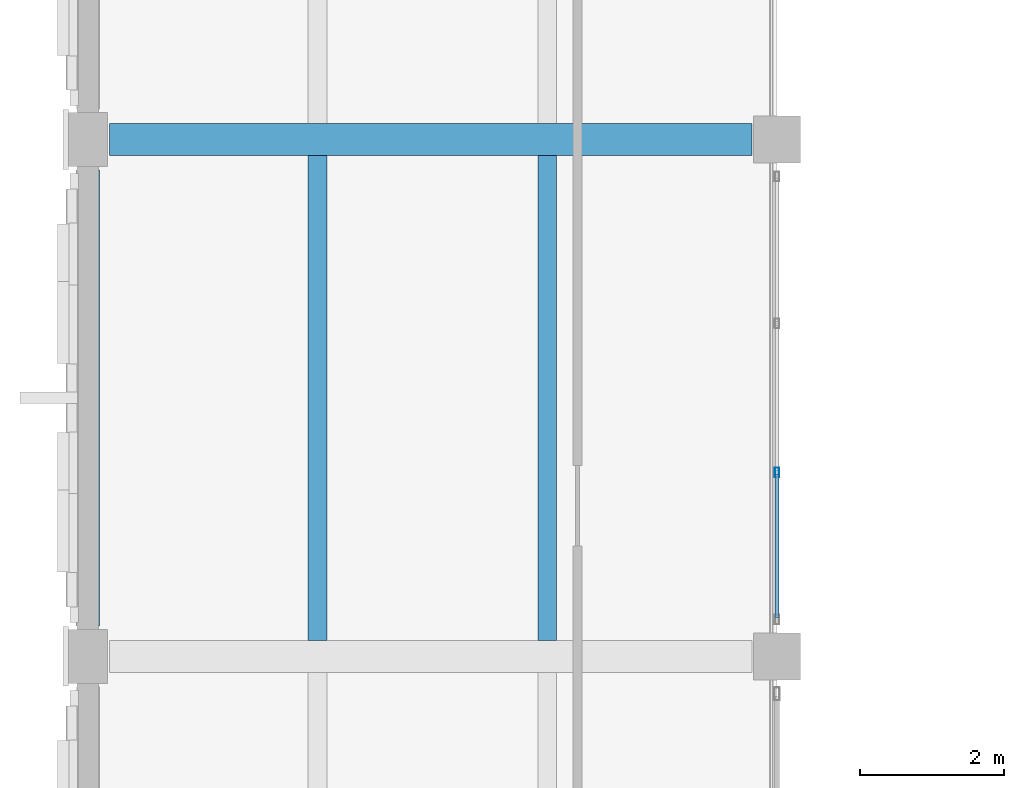
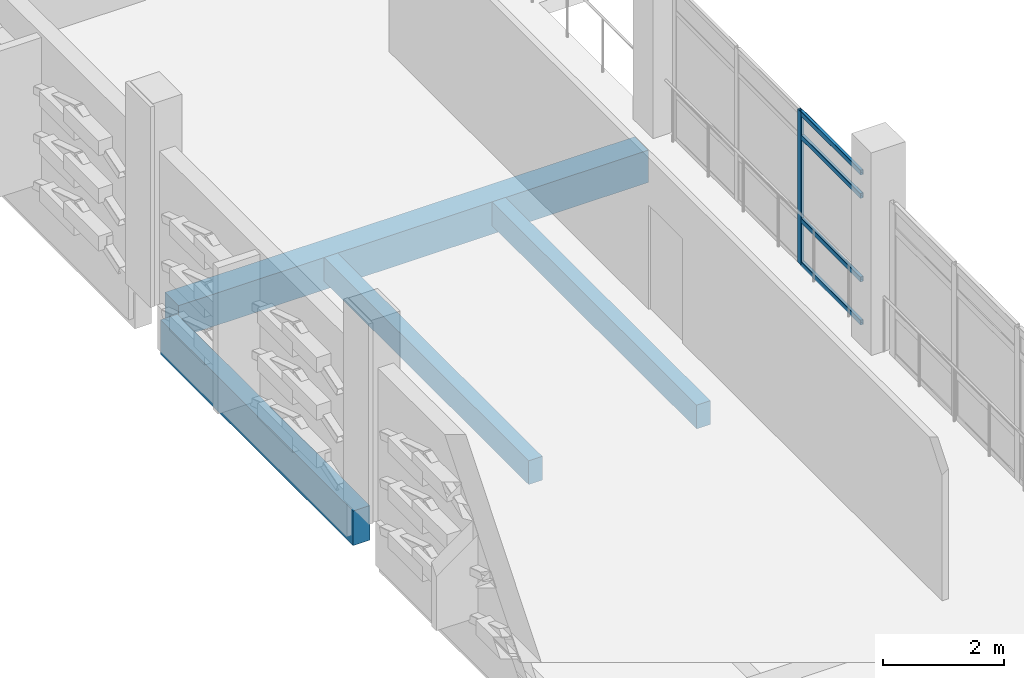
# One storey, part 22 of 72: 5 members, 4 beams, 1 element without a shape of its own.
"""IFC4 building model written with IfcOpenShell, lengths in metres."""

from ifc_helpers import new_model, si_unit, direction, frame, origin, origin_2d, place, context, subcontext, project, spatial, rectangle, hollow_rectangle, extrude, material, layer, layer_set, material_profile, profile_set, type_object, element, aggregate, save


model = new_model("IFC4")

# Units and contexts
model_context = context("Model", 3, precision=1e-05, world=origin(), true_north=direction((0.0, 1.0)))
body_context = subcontext(model_context, "Body", "Model", "MODEL_VIEW")
ifc_project = project(units=[si_unit("LENGTHUNIT", "METRE"), si_unit("AREAUNIT", "SQUARE_METRE"), si_unit("VOLUMEUNIT", "CUBIC_METRE"), si_unit("PLANEANGLEUNIT", "RADIAN"), si_unit("MASSUNIT", "GRAM", prefix="KILO")], contexts=[model_context])

# Site, building, storey
site_placement = place(None, origin())
site = spatial("IfcSite", under=ifc_project, at=site_placement, CompositionType="ELEMENT")
building_placement = place(site_placement, origin())
building = spatial("IfcBuilding", under=site, at=building_placement, Name="Asteropetra Specialist Clinic", CompositionType="ELEMENT")
storey_placement = place(building_placement, frame((0.0, 0.0, 12.580078125)))
storey = spatial("IfcBuildingStorey", under=building, at=storey_placement, Name="L03", CompositionType="ELEMENT", Elevation=12.580078125)

# Beam
ifc_material_1 = material(Name="Concrete C35/45", Category="concrete")
ifc_material_profile_1 = material_profile(ifc_material_1, rectangle(XDim=0.449951171875, YDim=0.64990234375, at=origin_2d()), Name="RCB 450x650")
ifc_profile_set_1 = profile_set([ifc_material_profile_1], Name="Concrete C35/45")
beam_type_1 = type_object("IfcBeamType", Name="BM-RC450x650", PredefinedType="BEAM", material=ifc_profile_set_1)
beam_1_placement = place(storey_placement, frame((0.300048828125, 91.199951171875, -0.60498046875), z_axis=(1.0, 0.0, 0.0), x_axis=(0.0, 1.0, 0.0)))
element("IfcBeam", 1, at=beam_1_placement, inside=storey, type_object=beam_type_1, Name="Beam BBM06-1578", PredefinedType="BEAM", context=body_context, shape_type="SweptSolid", body=[
    extrude(rectangle(XDim=0.449951171875, YDim=0.64990234375, at=origin_2d()), origin(), (0.0, 0.0, 1.0), 8.949951171875),
])

# Curtain wall, members
ifc_material_2 = material(Name="Aluminium and low-E glass", Category="aluminium")
ifc_layer = layer(ifc_material_2, 0.14990234375)
ifc_layer_set = layer_set([ifc_layer], Name="Aluminium and low-E glass")
curtain_wall_type = type_object("IfcCurtainWallType", Name="CW-SYS-05", PredefinedType="USERDEFINED", material=ifc_layer_set)
curtain_wall_placement = place(storey_placement, origin())
curtain_wall = element("IfcCurtainWall", 2, at=curtain_wall_placement, inside=storey, type_object=curtain_wall_type, Name="Curtain Wall CW-047", ObjectType="UNITISED CURTAIN WALL", PredefinedType="USERDEFINED")
ifc_material_3 = material(Name="Aluminium 6063-T6", Category="aluminium")
ifc_material_profile_2 = material_profile(ifc_material_3, hollow_rectangle(XDim=0.06005859375, YDim=0.135009765625, WallThickness=0.00341796875, InnerFilletRadius=0.00341796875, OuterFilletRadius=0.007080078125, at=origin_2d()), Name="MUL 135x60x3.5")
ifc_profile_set_2 = profile_set([ifc_material_profile_2], Name="Aluminium 6063-T6")
member_type_1 = type_object("IfcMemberType", Name="CWM-135x60", PredefinedType="MULLION", material=ifc_profile_set_2)
member_1_placement = place(storey_placement, frame((9.60009765625, 86.561767578125, 0.0), z_axis=(0.0, 0.0, 1.0), x_axis=(1.0, 0.0, 0.0)))
member_1 = element("IfcMember", 3, at=member_1_placement, type_object=member_type_1, Name="CW-047 mullion 3", PredefinedType="MULLION", context=body_context, shape_type="SweptSolid", body=[
    extrude(hollow_rectangle(XDim=0.06005859375, YDim=0.135009765625, WallThickness=0.00341796875, InnerFilletRadius=0.00341796875, OuterFilletRadius=0.007080078125, at=origin_2d()), origin(), (0.0, 0.0, 1.0), 3.079833984375),
])
ifc_material_4 = material(Name="Aluminium 6063-T6", Category="aluminium")
ifc_material_profile_3 = material_profile(ifc_material_4, hollow_rectangle(XDim=0.06005859375, YDim=0.10009765625, WallThickness=0.00341796875, InnerFilletRadius=0.00341796875, OuterFilletRadius=0.007080078125, at=origin_2d()), Name="TRN 100x60x3.5")
ifc_profile_set_3 = profile_set([ifc_material_profile_3], Name="Aluminium 6063-T6")
member_type_2 = type_object("IfcMemberType", Name="CWT-100x60", PredefinedType="USERDEFINED", material=ifc_profile_set_3)
member_2_placement = place(storey_placement, frame((9.60009765625, 86.53173828125, 0.030029296875), z_axis=(0.0, -1.0, 0.0), x_axis=(1.0, 0.0, 0.0)))
member_2 = element("IfcMember", 4, at=member_2_placement, type_object=member_type_2, Name="CW-047 transom 3.1", ObjectType="TRANSOM", PredefinedType="USERDEFINED", context=body_context, shape_type="SweptSolid", body=[
    extrude(hollow_rectangle(XDim=0.06005859375, YDim=0.10009765625, WallThickness=0.00341796875, InnerFilletRadius=0.00341796875, OuterFilletRadius=0.007080078125, at=origin_2d()), origin(), (0.0, 0.0, 1.0), 1.98681640625),
])
member_3_placement = place(storey_placement, frame((9.60009765625, 86.53173828125, 0.89990234375), z_axis=(0.0, -1.0, 0.0), x_axis=(1.0, 0.0, 0.0)))
member_3 = element("IfcMember", 5, at=member_3_placement, type_object=member_type_2, Name="CW-047 transom 3.2", ObjectType="TRANSOM", PredefinedType="USERDEFINED", context=body_context, shape_type="SweptSolid", body=[
    extrude(hollow_rectangle(XDim=0.06005859375, YDim=0.10009765625, WallThickness=0.00341796875, InnerFilletRadius=0.00341796875, OuterFilletRadius=0.007080078125, at=origin_2d()), origin(), (0.0, 0.0, 1.0), 1.98681640625),
])
member_4_placement = place(storey_placement, frame((9.60009765625, 86.53173828125, 2.579833984375), z_axis=(0.0, -1.0, 0.0), x_axis=(1.0, 0.0, 0.0)))
member_4 = element("IfcMember", 6, at=member_4_placement, type_object=member_type_2, Name="CW-047 transom 3.3", ObjectType="TRANSOM", PredefinedType="USERDEFINED", context=body_context, shape_type="SweptSolid", body=[
    extrude(hollow_rectangle(XDim=0.06005859375, YDim=0.10009765625, WallThickness=0.00341796875, InnerFilletRadius=0.00341796875, OuterFilletRadius=0.007080078125, at=origin_2d()), origin(), (0.0, 0.0, 1.0), 1.98681640625),
])
member_5_placement = place(storey_placement, frame((9.60009765625, 86.53173828125, 3.0498046875), z_axis=(0.0, -1.0, 0.0), x_axis=(1.0, 0.0, 0.0)))
member_5 = element("IfcMember", 7, at=member_5_placement, type_object=member_type_2, Name="CW-047 transom 3.4", ObjectType="TRANSOM", PredefinedType="USERDEFINED", context=body_context, shape_type="SweptSolid", body=[
    extrude(hollow_rectangle(XDim=0.06005859375, YDim=0.10009765625, WallThickness=0.00341796875, InnerFilletRadius=0.00341796875, OuterFilletRadius=0.007080078125, at=origin_2d()), origin(), (0.0, 0.0, 1.0), 1.98681640625),
])
aggregate(curtain_wall, [member_1, member_2, member_3, member_4, member_5])

# Beams
ifc_material_5 = material(Name="Concrete C35/45", Category="concrete")
ifc_material_profile_4 = material_profile(ifc_material_5, rectangle(XDim=0.260009765625, YDim=0.47998046875, at=origin_2d()), Name="RCJ 260x480")
ifc_profile_set_4 = profile_set([ifc_material_profile_4], Name="Concrete C35/45")
beam_type_2 = type_object("IfcBeamType", Name="JST-RC260x480", PredefinedType="JOIST", material=ifc_profile_set_4)
for number, where, z_axis, x_axis, name in (
    (8, (3.199951171875, 84.22509765625, -0.52001953125), (0.0, 1.0, 0.0), (-1.0, 0.0, 0.0), "Joist JJST02-1618"),
    (9, (6.39990234375, 84.22509765625, -0.52001953125), (0.0, 1.0, 0.0), (-1.0, 0.0, 0.0), "Joist JJST02-1619"),
):
    element("IfcBeam", number, at=place(storey_placement, frame(where, z_axis=z_axis, x_axis=x_axis)), inside=storey, type_object=beam_type_2, Name=name, PredefinedType="JOIST", context=body_context, shape_type="SweptSolid", body=[
        extrude(rectangle(XDim=0.260009765625, YDim=0.47998046875, at=origin_2d()), origin(), (0.0, 0.0, 1.0), 6.75),
    ])
ifc_material_6 = material(Name="Concrete C35/45", Category="concrete")
ifc_material_profile_5 = material_profile(ifc_material_6, rectangle(XDim=0.320068359375, YDim=0.699951171875, at=origin_2d()), Name="RCS 320x700")
ifc_profile_set_5 = profile_set([ifc_material_profile_5], Name="Concrete C35/45")
beam_type_3 = type_object("IfcBeamType", Name="SPN-RC320x700", PredefinedType="SPANDREL", material=ifc_profile_set_5)
beam_2_placement = place(storey_placement, frame((0.0, 84.425048828125, -0.630126953125), z_axis=(0.0, 1.0, 0.0), x_axis=(-1.0, 0.0, 0.0)))
element("IfcBeam", 10, at=beam_2_placement, inside=storey, type_object=beam_type_3, Name="Beam BSPN02-1615", PredefinedType="SPANDREL", context=body_context, shape_type="SweptSolid", body=[
    extrude(rectangle(XDim=0.320068359375, YDim=0.699951171875, at=origin_2d()), origin(), (0.0, 0.0, 1.0), 6.349853515625),
])

save(model, "model.ifc")
